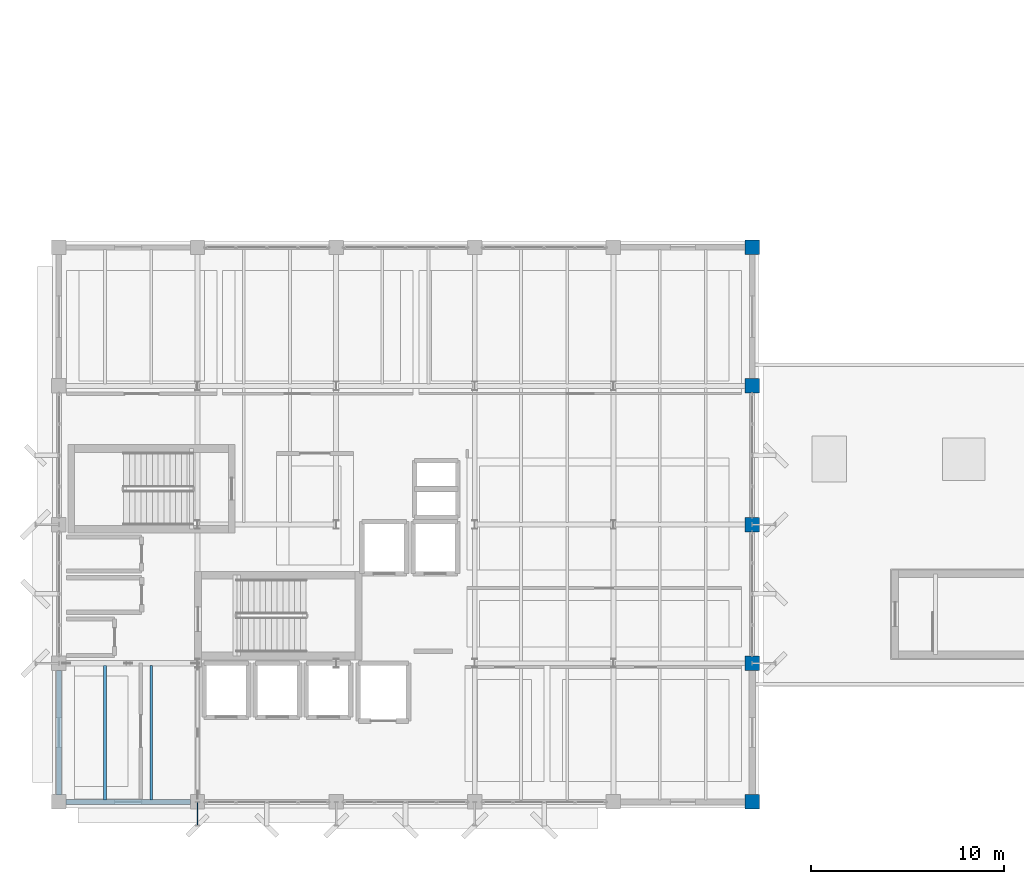
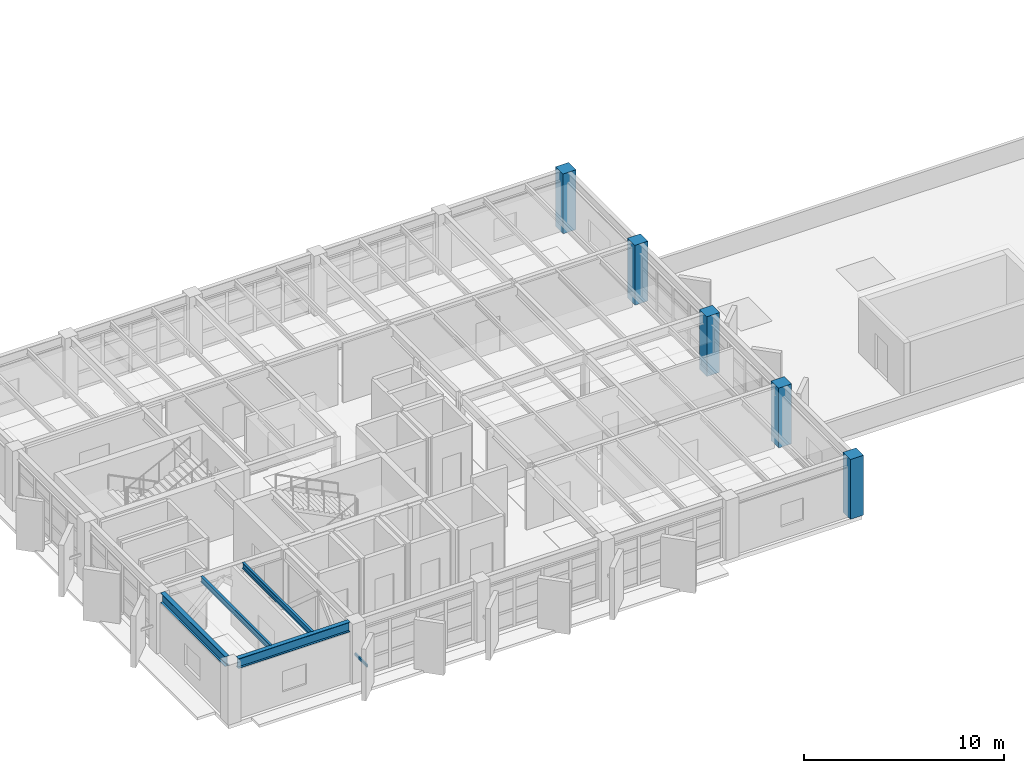
# One storey, part 3 of 32: 5 columns, 4 beams, 1 member.
"""IFC4 building model written with IfcOpenShell, lengths in metres."""

from ifc_helpers import new_model, si_unit, direction, frame, origin, origin_2d, place, context, subcontext, project, spatial, rectangle, hollow_rectangle, i_section, extrude, material, material_profile, profile_set, type_object, element, save


model = new_model("IFC4")

# Units and contexts
model_context = context("Model", 3, precision=1e-05, world=origin(), true_north=direction((0.0, 1.0)))
body_context = subcontext(model_context, "Body", "Model", "MODEL_VIEW")
ifc_project = project(units=[si_unit("LENGTHUNIT", "METRE"), si_unit("AREAUNIT", "SQUARE_METRE"), si_unit("VOLUMEUNIT", "CUBIC_METRE"), si_unit("PLANEANGLEUNIT", "RADIAN"), si_unit("MASSUNIT", "GRAM", prefix="KILO")], contexts=[model_context])

# Site, building, storey
site_placement = place(None, origin())
site = spatial("IfcSite", under=ifc_project, at=site_placement, CompositionType="ELEMENT")
building_placement = place(site_placement, origin())
building = spatial("IfcBuilding", under=site, at=building_placement, Name="Kandorven Conservatory and Botanical Research Centre", CompositionType="ELEMENT")
storey_placement = place(building_placement, frame((0.0, 0.0, 17.10009765625)))
storey = spatial("IfcBuildingStorey", under=building, at=storey_placement, Name="L04", CompositionType="ELEMENT", Elevation=17.10009765625)

# Columns
ifc_material_1 = material(Name="Concrete C40/50 (M50)", Category="concrete")
ifc_material_profile_1 = material_profile(ifc_material_1, rectangle(XDim=0.75, YDim=0.75, at=origin_2d()))
ifc_profile_set_1 = profile_set([ifc_material_profile_1], Name="Concrete C40/50 (M50)")
column_type = type_object("IfcColumnType", Name="Col_TC-03", PredefinedType="COLUMN", material=ifc_profile_set_1)
for number, where, z_axis, x_axis, name in (
    (1, (42.0, 6.0, 0.0), (0.0, 0.0, 1.0), (1.0, 0.0, 0.0), "Column TC-03 TWR L04 (6,1)"),
    (2, (42.0, 13.199951171875, 0.0), (0.0, 0.0, 1.0), (1.0, 0.0, 0.0), "Column TC-03 TWR L04 (6,2)"),
    (3, (42.0, 20.39990234375, 0.0), (0.0, 0.0, 1.0), (1.0, 0.0, 0.0), "Column TC-03 TWR L04 (6,3)"),
    (4, (42.0, 27.60009765625, 0.0), (0.0, 0.0, 1.0), (1.0, 0.0, 0.0), "Column TC-03 TWR L04 (6,4)"),
    (5, (42.0, 34.800048828125, 0.0), (0.0, 0.0, 1.0), (1.0, 0.0, 0.0), "Column TC-03 TWR L04 (6,5)"),
):
    element("IfcColumn", number, at=place(storey_placement, frame(where, z_axis=z_axis, x_axis=x_axis)), inside=storey, type_object=column_type, Name=name, PredefinedType="COLUMN", context=body_context, shape_type="SweptSolid", body=[
        extrude(rectangle(XDim=0.75, YDim=0.75, at=origin_2d()), origin(), (0.0, 0.0, 1.0), 3.659912109375),
    ])

# Beams
ifc_material_2 = material(Name="Steel S355 (IS 2062 E350)", Category="steel")
ifc_material_profile_2 = material_profile(ifc_material_2, i_section(OverallWidth=0.25, OverallDepth=0.60009765625, WebThickness=0.01171875, FlangeThickness=0.023681640625, at=origin_2d()))
ifc_profile_set_2 = profile_set([ifc_material_profile_2], Name="Steel S355 (IS 2062 E350)")
beam_type_1 = type_object("IfcBeamType", Name="Beam_FG-01", PredefinedType="USERDEFINED", material=ifc_profile_set_2)
for number, where, z_axis, x_axis, name in (
    (6, (6.364990234375, 6.0, 3.35986328125), (1.0, 0.0, 0.0), (0.0, 1.0, 0.0), "Primary girder FG-01 TWR L04"),
    (7, (6.0, 6.364990234375, 3.35986328125), (0.0, 1.0, 0.0), (-1.0, 0.0, 0.0), "Primary girder FG-01 TWR L04"),
):
    element("IfcBeam", number, at=place(storey_placement, frame(where, z_axis=z_axis, x_axis=x_axis)), inside=storey, type_object=beam_type_1, Name=name, ObjectType="GIRDER", PredefinedType="USERDEFINED", context=body_context, shape_type="SweptSolid", body=[
        extrude(i_section(OverallWidth=0.25, OverallDepth=0.60009765625, WebThickness=0.01171875, FlangeThickness=0.023681640625, at=origin_2d()), origin(), (0.0, 0.0, 1.0), 6.469970703125),
    ])
ifc_material_3 = material(Name="Steel S355 (IS 2062 E350)", Category="steel")
ifc_material_profile_3 = material_profile(ifc_material_3, i_section(OverallWidth=0.139892578125, OverallDepth=0.35009765625, WebThickness=0.008056640625, FlangeThickness=0.01416015625, at=origin_2d()))
ifc_profile_set_3 = profile_set([ifc_material_profile_3], Name="Steel S355 (IS 2062 E350)")
beam_type_2 = type_object("IfcBeamType", Name="Beam_SB-06", PredefinedType="BEAM", material=ifc_profile_set_3)
for number, where, z_axis, x_axis, name in (
    (8, (8.39990234375, 6.110107421875, 3.48486328125), (0.0, 1.0, 0.0), (-1.0, 0.0, 0.0), "Composite secondary beam SB-06 TWR L04"),
    (9, (10.800048828125, 6.110107421875, 3.48486328125), (0.0, 1.0, 0.0), (-1.0, 0.0, 0.0), "Composite secondary beam SB-06 TWR L04"),
):
    element("IfcBeam", number, at=place(storey_placement, frame(where, z_axis=z_axis, x_axis=x_axis)), inside=storey, type_object=beam_type_2, Name=name, PredefinedType="BEAM", context=body_context, shape_type="SweptSolid", body=[
        extrude(i_section(OverallWidth=0.139892578125, OverallDepth=0.35009765625, WebThickness=0.008056640625, FlangeThickness=0.01416015625, at=origin_2d()), origin(), (0.0, 0.0, 1.0), 6.97998046875),
    ])

# Member
ifc_material_4 = material(Name="Steel S355 (IS 2062 E350)", Category="steel")
ifc_material_profile_4 = material_profile(ifc_material_4, hollow_rectangle(XDim=0.074951171875, YDim=0.14990234375, WallThickness=0.006103515625, at=origin_2d()))
ifc_profile_set_4 = profile_set([ifc_material_profile_4], Name="Steel S355 (IS 2062 E350)")
member_type = type_object("IfcMemberType", Name="Mem_SF-01", PredefinedType="STRUT", material=ifc_profile_set_4)
member_placement = place(storey_placement, frame((13.199951171875, 6.0, 1.5), z_axis=(0.0, -1.0, 0.0), x_axis=(1.0, 0.0, 0.0)))
element("IfcMember", 10, at=member_placement, inside=storey, type_object=member_type, Name="Solar fin steel outrigger strut SF-01 #31", PredefinedType="STRUT", context=body_context, shape_type="SweptSolid", body=[
    extrude(hollow_rectangle(XDim=0.074951171875, YDim=0.14990234375, WallThickness=0.006103515625, at=origin_2d()), origin(), (0.0, 0.0, 1.0), 1.219970703125),
])

save(model, "model.ifc")
